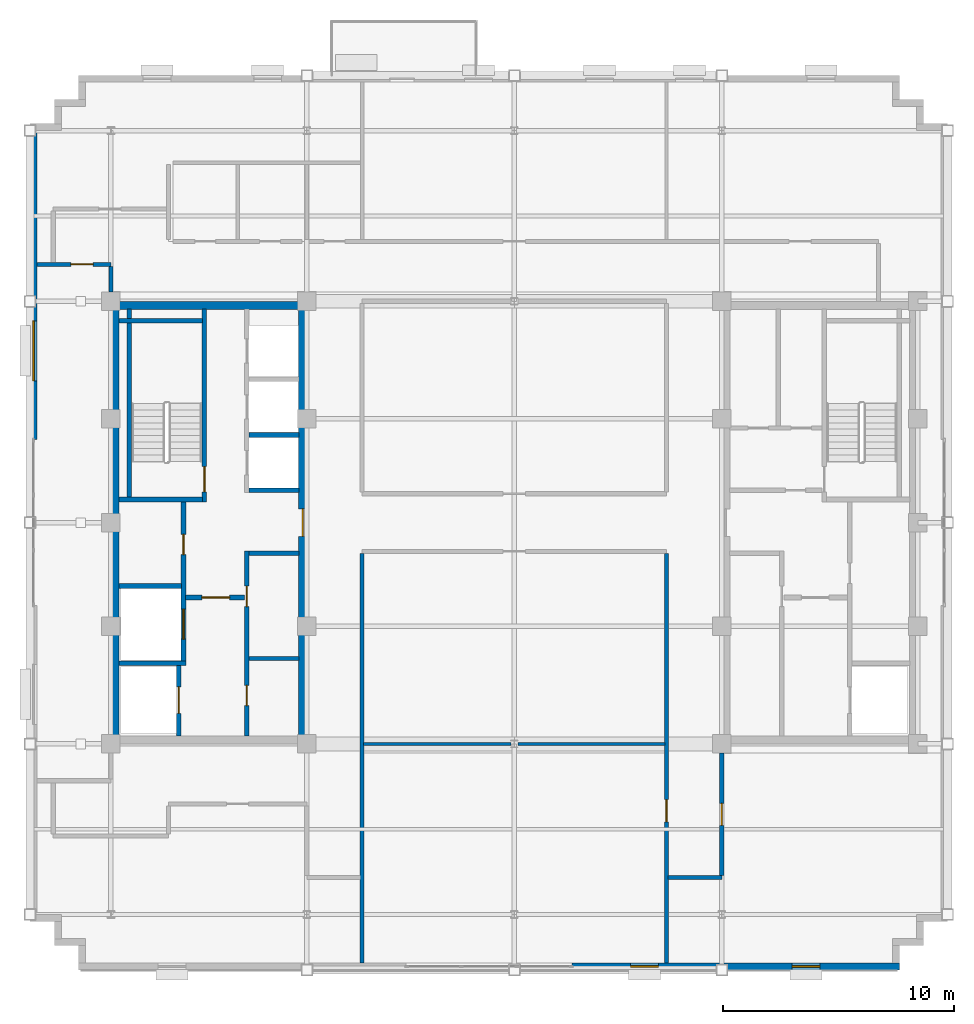
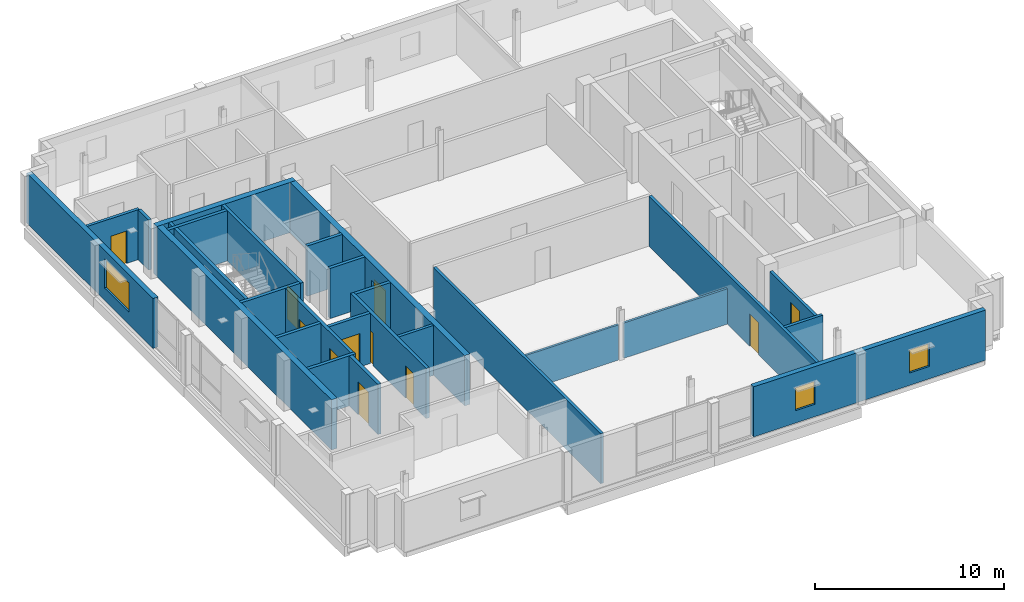
# One storey, part 6 of 15: 27 walls, 11 doors, 3 windows, 14 openings.
"""IFC4 building model written with IfcOpenShell, lengths in metres."""

from ifc_helpers import new_model, si_unit, direction, frame, frame_2d, origin, place, context, subcontext, project, spatial, rectangle, extrude, source, transform, mapped, material, layer, layer_set, type_object, type_shapes, element, fill, save


model = new_model("IFC4")

# Units and contexts
model_context = context("Model", 3, precision=1e-05, world=origin(), true_north=direction((0.0, 1.0)))
body_context = subcontext(model_context, "Body", "Model", "MODEL_VIEW")
ifc_project = project(units=[si_unit("LENGTHUNIT", "METRE"), si_unit("AREAUNIT", "SQUARE_METRE"), si_unit("VOLUMEUNIT", "CUBIC_METRE"), si_unit("PLANEANGLEUNIT", "RADIAN"), si_unit("MASSUNIT", "GRAM", prefix="KILO")], contexts=[model_context])

# Site, building, storey
site_placement = place(None, origin())
site = spatial("IfcSite", under=ifc_project, at=site_placement, CompositionType="ELEMENT")
building_placement = place(site_placement, origin())
building = spatial("IfcBuilding", under=site, at=building_placement, Name="Nuvemarco Arch Tower", CompositionType="ELEMENT")
storey_placement = place(building_placement, frame((0.0, 0.0, 283.5)))
storey = spatial("IfcBuildingStorey", under=building, at=storey_placement, Name="L75", CompositionType="ELEMENT", Elevation=283.5)

# Wall, openings, windows
ifc_material_1 = material(Name="Precast concrete C45/55", Category="concrete")
ifc_layer_1 = layer(ifc_material_1, 0.300048828125, Name="EW-HIGH-300")
ifc_layer_set_1 = layer_set([ifc_layer_1], Name="Precast concrete C45/55")
wall_type_1 = type_object("IfcWallType", Name="EW-HIGH-300", PredefinedType="STANDARD", material=ifc_layer_set_1)
wall_1_placement = place(storey_placement, frame((2.5, -19.25, 0.0), z_axis=(0.0, 0.0, 1.0), x_axis=(1.0, 0.0, 0.0)))
wall_1 = element("IfcWall", 1, at=wall_1_placement, inside=storey, type_object=wall_type_1, Name="L75 exterior precast pier wall south right", PredefinedType="STANDARD", context=body_context, shape_type="SweptSolid", body=[
    extrude(rectangle(XDim=14.199951171875, YDim=0.300048828125, at=frame_2d((7.10009765625, 0.0))), origin(), (0.0, 0.0, 1.0), 3.239990234375),
])
opening_1_placement = place(wall_1_placement, frame((2.550048828125, 0.0, 0.800048828125)))
opening_1 = element("IfcOpeningElement", 2, at=opening_1_placement, cuts=wall_1, Name="Opening WN-8", PredefinedType="OPENING", context=body_context, shape_type="SweptSolid", body=[
    extrude(rectangle(XDim=1.199951171875, YDim=1.47998046875, at=frame_2d((0.60009765625, 0.739990234375))), frame((0.0, 0.159912109375, 0.0), z_axis=(0.0, -1.0, 0.0), x_axis=(1.0, 0.0, 0.0)), (0.0, 0.0, 1.0), 0.320068359375),
])
opening_2_placement = place(wall_1_placement, frame((9.550048828125, 0.0, 0.800048828125)))
opening_2 = element("IfcOpeningElement", 3, at=opening_2_placement, cuts=wall_1, Name="Opening WN-8", PredefinedType="OPENING", context=body_context, shape_type="SweptSolid", body=[
    extrude(rectangle(XDim=1.199951171875, YDim=1.47998046875, at=frame_2d((0.60009765625, 0.739990234375))), frame((0.0, 0.159912109375, 0.0), z_axis=(0.0, -1.0, 0.0), x_axis=(1.0, 0.0, 0.0)), (0.0, 0.0, 1.0), 0.320068359375),
])
ifc_material_2 = material(Name="Insulated solar-control glass", Category="glass")
window_type_1 = type_object("IfcWindowType", Name="WN-HIGH-1200x1480", PartitioningType="SINGLE_PANEL", PredefinedType="WINDOW", material=ifc_material_2)
shared_shape_1 = source(origin(), body_context, "Body", "SweptSolid", [
    extrude(rectangle(XDim=1.199951171875, YDim=1.47998046875, at=frame_2d((0.60009765625, 0.739990234375))), frame((0.0, 0.030029296875, 0.0), z_axis=(0.0, -1.0, 0.0), x_axis=(1.0, 0.0, 0.0)), (0.0, 0.0, 1.0), 0.06005859375),
])
type_shapes(window_type_1, [shared_shape_1])
window_1_placement = place(opening_1_placement, origin())
window_1 = element("IfcWindow", 4, at=window_1_placement, inside=storey, type_object=window_type_1, Name="L75 punched facade window 1", OverallHeight=1.47998046875, OverallWidth=1.199951171875, PartitioningType="SINGLE_PANEL", PredefinedType="WINDOW", context=body_context, shape_type="MappedRepresentation", body=[
    mapped(shared_shape_1, transform((0.0, 0.0, 0.0), scale=1.0)),
])
fill(opening_1, window_1)
window_2_placement = place(opening_2_placement, origin())
window_2 = element("IfcWindow", 5, at=window_2_placement, inside=storey, type_object=window_type_1, Name="L75 punched facade window 2", OverallHeight=1.47998046875, OverallWidth=1.199951171875, PartitioningType="SINGLE_PANEL", PredefinedType="WINDOW", context=body_context, shape_type="MappedRepresentation", body=[
    mapped(shared_shape_1, transform((0.0, 0.0, 0.0), scale=1.0)),
])
fill(opening_2, window_2)

# Wall, opening, window
wall_2_placement = place(storey_placement, frame((-20.85009765625, 3.60009765625, 0.0), z_axis=(0.0, 0.0, 1.0), x_axis=(0.0, 1.0, 0.0)))
wall_2 = element("IfcWall", 6, at=wall_2_placement, inside=storey, type_object=wall_type_1, Name="L75 exterior precast pier wall west right", PredefinedType="STANDARD", context=body_context, shape_type="SweptSolid", body=[
    extrude(rectangle(XDim=13.40380859375, YDim=0.300048828125, at=frame_2d((6.701904296875, 0.0))), origin(), (0.0, 0.0, 1.0), 3.239990234375),
])
opening_3_placement = place(wall_2_placement, frame((2.551025390625, 0.0, 0.800048828125)))
opening_3 = element("IfcOpeningElement", 7, at=opening_3_placement, cuts=wall_2, Name="Opening WN-9", PredefinedType="OPENING", context=body_context, shape_type="SweptSolid", body=[
    extrude(rectangle(XDim=2.60009765625, YDim=1.89990234375, at=frame_2d((1.300048828125, 0.949951171875))), frame((0.0, 0.159912109375, 0.0), z_axis=(0.0, -1.0, 0.0), x_axis=(1.0, 0.0, 0.0)), (0.0, 0.0, 1.0), 0.320068359375),
])
window_type_2 = type_object("IfcWindowType", Name="WN-OBS-2600x1900", PartitioningType="TRIPLE_PANEL_VERTICAL", PredefinedType="WINDOW", material=ifc_material_2)
shared_shape_2 = source(origin(), body_context, "Body", "SweptSolid", [
    extrude(rectangle(XDim=2.60009765625, YDim=1.89990234375, at=frame_2d((1.300048828125, 0.949951171875))), frame((0.0, 0.030029296875, 0.0), z_axis=(0.0, -1.0, 0.0), x_axis=(1.0, 0.0, 0.0)), (0.0, 0.0, 1.0), 0.06005859375),
])
type_shapes(window_type_2, [shared_shape_2])
window_3_placement = place(opening_3_placement, origin())
window_3 = element("IfcWindow", 8, at=window_3_placement, inside=storey, type_object=window_type_2, Name="L75 punched facade window 1", OverallHeight=1.89990234375, OverallWidth=2.60009765625, PartitioningType="SINGLE_PANEL", PredefinedType="WINDOW", context=body_context, shape_type="MappedRepresentation", body=[
    mapped(shared_shape_2, transform((0.0, 0.0, 0.0), scale=1.0)),
])
fill(opening_3, window_3)

# Walls
ifc_material_3 = material(Name="Concrete C50/60", Category="concrete")
ifc_layer_2 = layer(ifc_material_3, 0.35009765625, Name="WL-CORE-350")
ifc_layer_set_2 = layer_set([ifc_layer_2], Name="Concrete C50/60")
wall_type_2 = type_object("IfcWallType", Name="WL-CORE-350", PredefinedType="SHEAR", material=ifc_layer_set_2)
wall_3_placement = place(storey_placement, frame((-17.5, 9.425048828125, 0.0), z_axis=(0.0, 0.0, 1.0), x_axis=(1.0, 0.0, 0.0)))
element("IfcWall", 9, at=wall_3_placement, inside=storey, type_object=wall_type_2, Name="L75 W-core shear wall N", PredefinedType="SHEAR", context=body_context, shape_type="SweptSolid", body=[
    extrude(rectangle(XDim=8.5, YDim=0.35009765625, at=frame_2d((4.25, 0.0))), origin(), (0.0, 0.0, 1.0), 3.25),
])
wall_4_placement = place(storey_placement, frame((-17.324951171875, -9.2548828125, 0.0), z_axis=(0.0, 0.0, 1.0), x_axis=(0.0, 1.0, 0.0)))
element("IfcWall", 10, at=wall_4_placement, inside=storey, type_object=wall_type_2, Name="L75 W-core shear wall W", PredefinedType="SHEAR", context=body_context, shape_type="SweptSolid", body=[
    extrude(rectangle(XDim=18.509765625, YDim=0.35009765625, at=frame_2d((9.2548828125, 0.0))), origin(), (0.0, 0.0, 1.0), 3.25),
])

# Wall, opening, door
wall_5_placement = place(storey_placement, frame((-9.175048828125, -9.2548828125, 0.0), z_axis=(0.0, 0.0, 1.0), x_axis=(0.0, 1.0, 0.0)))
wall_5 = element("IfcWall", 11, at=wall_5_placement, inside=storey, type_object=wall_type_2, Name="L75 W-core shear wall E", PredefinedType="SHEAR", context=body_context, shape_type="SweptSolid", body=[
    extrude(rectangle(XDim=18.509765625, YDim=0.35009765625, at=frame_2d((9.2548828125, 0.0))), origin(), (0.0, 0.0, 1.0), 3.25),
])
opening_4_placement = place(wall_5_placement, frame((8.655029296875, 0.0, 0.0)))
opening_4 = element("IfcOpeningElement", 12, at=opening_4_placement, cuts=wall_5, Name="Opening FD-2", PredefinedType="OPENING", context=body_context, shape_type="SweptSolid", body=[
    extrude(rectangle(XDim=1.199951171875, YDim=2.14990234375, at=frame_2d((0.60009765625, 1.074951171875))), frame((0.0, 0.18505859375, 0.0), z_axis=(0.0, -1.0, 0.0), x_axis=(1.0, 0.0, 0.0)), (0.0, 0.0, 1.0), 0.3701171875),
])
ifc_material_4 = material(Name="Anodised steel fire door", Category="steel")
door_type_1 = type_object("IfcDoorType", Name="DR-FFLOB-FD", OperationType="NOTDEFINED", PredefinedType="DOOR", material=ifc_material_4)
shared_shape_3 = source(origin(), body_context, "Body", "SweptSolid", [
    extrude(rectangle(XDim=1.199951171875, YDim=2.14990234375, at=frame_2d((0.60009765625, 1.074951171875))), frame((0.0, 0.02490234375, 0.0), z_axis=(0.0, -1.0, 0.0), x_axis=(1.0, 0.0, 0.0)), (0.0, 0.0, 1.0), 0.050048828125),
])
type_shapes(door_type_1, [shared_shape_3])
door_1_placement = place(opening_4_placement, origin())
door_1 = element("IfcDoor", 13, at=door_1_placement, inside=storey, type_object=door_type_1, Name="L75 door FD-L75-WCORE-E", OperationType="SINGLE_SWING_RIGHT", OverallHeight=2.14990234375, OverallWidth=1.199951171875, PredefinedType="DOOR", context=body_context, shape_type="MappedRepresentation", body=[
    mapped(shared_shape_3, transform((0.0, 0.0, 0.0), scale=1.0)),
])
fill(opening_4, door_1)

# Walls
ifc_material_5 = material(Name="Fire-rated gypsum drywall partition")
ifc_layer_3 = layer(ifc_material_5, 0.179931640625, Name="WL-CORR-180")
ifc_layer_set_3 = layer_set([ifc_layer_3], Name="Fire-rated gypsum drywall partition")
wall_type_3 = type_object("IfcWallType", Name="WL-CORR-180", PredefinedType="PARTITIONING", material=ifc_layer_set_3)
wall_6_placement = place(storey_placement, frame((-11.5048828125, -5.89990234375, 0.0), z_axis=(0.0, 0.0, 1.0), x_axis=(1.0, 0.0, 0.0)))
element("IfcWall", 14, at=wall_6_placement, inside=storey, type_object=wall_type_3, Name="L75 interior wall IW-L75-W-RECK3", PredefinedType="PARTITIONING", context=body_context, shape_type="SweptSolid", body=[
    extrude(rectangle(XDim=2.159912109375, YDim=0.179931640625, at=frame_2d((1.080078125, 0.0))), origin(), (0.0, 0.0, 1.0), 3.239990234375),
])
wall_7_placement = place(storey_placement, frame((6.660888671875, -15.39990234375, 0.0), z_axis=(0.0, 0.0, 1.0), x_axis=(1.0, 0.0, 0.0)))
element("IfcWall", 15, at=wall_7_placement, inside=storey, type_object=wall_type_3, Name="L75 interior wall IW-L75-002", PredefinedType="PARTITIONING", context=body_context, shape_type="SweptSolid", body=[
    extrude(rectangle(XDim=2.339111328125, YDim=0.179931640625, at=frame_2d((1.16943359375, 0.0))), origin(), (0.0, 0.0, 1.0), 3.239990234375),
])

# Wall, opening, door
wall_8_placement = place(storey_placement, frame((-20.699951171875, 11.199951171875, 0.0), z_axis=(0.0, 0.0, 1.0), x_axis=(1.0, 0.0, 0.0)))
wall_8 = element("IfcWall", 16, at=wall_8_placement, inside=storey, type_object=wall_type_3, Name="L75 interior wall IW-L75-012", PredefinedType="PARTITIONING", context=body_context, shape_type="SweptSolid", body=[
    extrude(rectangle(XDim=3.199951171875, YDim=0.179931640625, at=frame_2d((1.60009765625, 0.0))), origin(), (0.0, 0.0, 1.0), 3.239990234375),
])
opening_5_placement = place(wall_8_placement, frame((1.469970703125, 0.0, 0.0)))
opening_5 = element("IfcOpeningElement", 17, at=opening_5_placement, cuts=wall_8, Name="Opening FD-5", PredefinedType="OPENING", context=body_context, shape_type="SweptSolid", body=[
    extrude(rectangle(XDim=0.9599609375, YDim=2.10009765625, at=frame_2d((0.47998046875, 1.050048828125))), frame((0.0, 0.099853515625, 0.0), z_axis=(0.0, -1.0, 0.0), x_axis=(1.0, 0.0, 0.0)), (0.0, 0.0, 1.0), 0.199951171875),
])
ifc_material_6 = material(Name="Timber fire door", Category="wood")
door_type_2 = type_object("IfcDoorType", Name="DR-CORR-FD", OperationType="NOTDEFINED", PredefinedType="DOOR", material=ifc_material_6)
shared_shape_4 = source(origin(), body_context, "Body", "SweptSolid", [
    extrude(rectangle(XDim=0.9599609375, YDim=2.10009765625, at=frame_2d((0.47998046875, 1.050048828125))), frame((0.0, 0.02490234375, 0.0), z_axis=(0.0, -1.0, 0.0), x_axis=(1.0, 0.0, 0.0)), (0.0, 0.0, 1.0), 0.050048828125),
])
type_shapes(door_type_2, [shared_shape_4])
door_2_placement = place(opening_5_placement, origin())
door_2 = element("IfcDoor", 18, at=door_2_placement, inside=storey, type_object=door_type_2, Name="L75 door DR-L75-OBS_W1", OperationType="SINGLE_SWING_LEFT", OverallHeight=2.10009765625, OverallWidth=0.9599609375, PredefinedType="DOOR", context=body_context, shape_type="MappedRepresentation", body=[
    mapped(shared_shape_4, transform((0.0, 0.0, 0.0), scale=1.0)),
])
fill(opening_5, door_2)

# Walls
wall_9_placement = place(storey_placement, frame((-17.5, 9.99609375, 0.0), z_axis=(0.0, 0.0, 1.0), x_axis=(0.0, 1.0, 0.0)))
element("IfcWall", 19, at=wall_9_placement, inside=storey, type_object=wall_type_3, Name="L75 interior wall IW-L75-020", PredefinedType="PARTITIONING", context=body_context, shape_type="SweptSolid", body=[
    extrude(rectangle(XDim=1.117919921875, YDim=0.179931640625, at=frame_2d((0.55908203125, 0.0))), origin(), (0.0, 0.0, 1.0), 3.239990234375),
])
wall_10_placement = place(storey_placement, frame((-6.60009765625, -19.10009765625, 0.0), z_axis=(0.0, 0.0, 1.0), x_axis=(0.0, 1.0, 0.0)))
element("IfcWall", 20, at=wall_10_placement, inside=storey, type_object=wall_type_3, Name="L75 interior wall IW-L75-026", PredefinedType="PARTITIONING", context=body_context, shape_type="SweptSolid", body=[
    extrude(rectangle(XDim=17.76416015625, YDim=0.179931640625, at=frame_2d((8.882080078125, 0.0))), origin(), (0.0, 0.0, 1.0), 3.239990234375),
])

# Wall, opening, door
wall_11_placement = place(storey_placement, frame((6.60009765625, -19.10009765625, 0.0), z_axis=(0.0, 0.0, 1.0), x_axis=(0.0, 1.0, 0.0)))
wall_11 = element("IfcWall", 21, at=wall_11_placement, inside=storey, type_object=wall_type_3, Name="L75 interior wall IW-L75-029", PredefinedType="PARTITIONING", context=body_context, shape_type="SweptSolid", body=[
    extrude(rectangle(XDim=17.76416015625, YDim=0.179931640625, at=frame_2d((8.882080078125, 0.0))), origin(), (0.0, 0.0, 1.0), 3.239990234375),
])
opening_6_placement = place(wall_11_placement, frame((6.1201171875, 0.0, 0.0)))
opening_6 = element("IfcOpeningElement", 22, at=opening_6_placement, cuts=wall_11, Name="Opening FD-5", PredefinedType="OPENING", context=body_context, shape_type="SweptSolid", body=[
    extrude(rectangle(XDim=0.9599609375, YDim=2.10009765625, at=frame_2d((0.47998046875, 1.050048828125))), frame((0.0, 0.099853515625, 0.0), z_axis=(0.0, -1.0, 0.0), x_axis=(1.0, 0.0, 0.0)), (0.0, 0.0, 1.0), 0.199951171875),
])
door_3_placement = place(opening_6_placement, origin())
door_3 = element("IfcDoor", 23, at=door_3_placement, inside=storey, type_object=door_type_2, Name="L75 door DR-L75-OBS_SC", OperationType="SINGLE_SWING_RIGHT", OverallHeight=2.10009765625, OverallWidth=0.9599609375, PredefinedType="DOOR", context=body_context, shape_type="MappedRepresentation", body=[
    mapped(shared_shape_4, transform((0.0, 0.0, 0.0), scale=1.0)),
])
fill(opening_6, door_3)

wall_12_placement = place(storey_placement, frame((9.0, -15.31396484375, 0.0), z_axis=(0.0, 0.0, 1.0), x_axis=(0.0, 1.0, 0.0)))
wall_12 = element("IfcWall", 24, at=wall_12_placement, inside=storey, type_object=wall_type_3, Name="L75 interior wall IW-L75-032", PredefinedType="PARTITIONING", context=body_context, shape_type="SweptSolid", body=[
    extrude(rectangle(XDim=5.31787109375, YDim=0.179931640625, at=frame_2d((2.658935546875, 0.0))), origin(), (0.0, 0.0, 1.0), 2.77197265625),
])
opening_7_placement = place(wall_12_placement, frame((2.178955078125, 0.0, 0.0)))
opening_7 = element("IfcOpeningElement", 25, at=opening_7_placement, cuts=wall_12, Name="Opening FD-5", PredefinedType="OPENING", context=body_context, shape_type="SweptSolid", body=[
    extrude(rectangle(XDim=0.9599609375, YDim=2.10009765625, at=frame_2d((0.47998046875, 1.050048828125))), frame((0.0, 0.099853515625, 0.0), z_axis=(0.0, -1.0, 0.0), x_axis=(1.0, 0.0, 0.0)), (0.0, 0.0, 1.0), 0.199951171875),
])
door_4_placement = place(opening_7_placement, origin())
door_4 = element("IfcDoor", 26, at=door_4_placement, inside=storey, type_object=door_type_2, Name="L75 door DR-L75-OBS_SE", OperationType="SINGLE_SWING_LEFT", OverallHeight=2.10009765625, OverallWidth=0.9599609375, PredefinedType="DOOR", context=body_context, shape_type="MappedRepresentation", body=[
    mapped(shared_shape_4, transform((0.0, 0.0, 0.0), scale=1.0)),
])
fill(opening_7, door_4)

# Walls
ifc_material_7 = material(Name="Glazed acoustic office partition")
ifc_layer_4 = layer(ifc_material_7, 0.1298828125, Name="WL-EXEC-130")
ifc_layer_set_4 = layer_set([ifc_layer_4], Name="Glazed acoustic office partition")
wall_type_4 = type_object("IfcWallType", Name="WL-EXEC-130", PredefinedType="PARTITIONING", material=ifc_layer_set_4)
for number, where, z_axis, x_axis, name in (
    (27, (-6.5390625, -9.60009765625, 0.0), (0.0, 0.0, 1.0), (1.0, 0.0, 0.0), "L75 interior wall IW-L75-006"),
    (28, (0.15087890625, -9.60009765625, 0.0), (0.0, 0.0, 1.0), (1.0, 0.0, 0.0), "L75 interior wall IW-L75-007"),
):
    element("IfcWall", number, at=place(storey_placement, frame(where, z_axis=z_axis, x_axis=x_axis)), inside=storey, type_object=wall_type_4, Name=name, PredefinedType="PARTITIONING", context=body_context, shape_type="SweptSolid", body=[
        extrude(rectangle(XDim=6.38818359375, YDim=0.1298828125, at=frame_2d((3.194091796875, 0.0))), origin(), (0.0, 0.0, 1.0), 2.284912109375),
    ])

# Wall, opening, door
ifc_layer_5 = layer(ifc_material_3, 0.199951171875, Name="WL-SHAFT-220")
ifc_layer_set_5 = layer_set([ifc_layer_5], Name="Concrete C50/60")
wall_type_5 = type_object("IfcWallType", Name="WL-SHAFT-220", PredefinedType="SHEAR", material=ifc_layer_set_5)
wall_13_placement = place(storey_placement, frame((-13.43994140625, 0.89990234375, 0.0), z_axis=(0.0, 0.0, 1.0), x_axis=(0.0, 1.0, 0.0)))
wall_13 = element("IfcWall", 29, at=wall_13_placement, inside=storey, type_object=wall_type_5, Name="L75 structural shaft wall SW-L75-W-ST1E", PredefinedType="SHEAR", context=body_context, shape_type="SweptSolid", body=[
    extrude(rectangle(XDim=8.35498046875, YDim=0.199951171875, at=frame_2d((4.177490234375, 0.0))), origin(), (0.0, 0.0, 1.0), 3.25),
])
opening_8_placement = place(wall_13_placement, frame((1.530029296875, 0.0, 0.0), z_axis=(0.0, 0.0, 1.0), x_axis=(-1.0, 0.0, 0.0)))
opening_8 = element("IfcOpeningElement", 30, at=opening_8_placement, cuts=wall_13, Name="Opening FD-1", PredefinedType="OPENING", context=body_context, shape_type="SweptSolid", body=[
    extrude(rectangle(XDim=1.10009765625, YDim=2.14990234375, at=frame_2d((0.550048828125, 1.074951171875))), frame((0.0, 0.10986328125, 0.0), z_axis=(0.0, -1.0, 0.0), x_axis=(1.0, 0.0, 0.0)), (0.0, 0.0, 1.0), 0.219970703125),
])
door_type_3 = type_object("IfcDoorType", Name="DR-STAIR-FD", OperationType="NOTDEFINED", PredefinedType="DOOR", material=ifc_material_4)
shared_shape_5 = source(origin(), body_context, "Body", "SweptSolid", [
    extrude(rectangle(XDim=1.10009765625, YDim=2.14990234375, at=frame_2d((0.550048828125, 1.074951171875))), frame((0.0, 0.02490234375, 0.0), z_axis=(0.0, -1.0, 0.0), x_axis=(1.0, 0.0, 0.0)), (0.0, 0.0, 1.0), 0.050048828125),
])
type_shapes(door_type_3, [shared_shape_5])
door_5_placement = place(opening_8_placement, origin())
door_5 = element("IfcDoor", 31, at=door_5_placement, inside=storey, type_object=door_type_3, Name="L75 door FD-L75-ST1", OperationType="SINGLE_SWING_LEFT", OverallHeight=2.14990234375, OverallWidth=1.10009765625, PredefinedType="DOOR", context=body_context, shape_type="MappedRepresentation", body=[
    mapped(shared_shape_5, transform((0.0, 0.0, 0.0), scale=1.0)),
])
fill(opening_8, door_5)

# Walls
for number, where, z_axis, x_axis, name in (
    (32, (-17.155029296875, 1.0, 0.0), (0.0, 0.0, 1.0), (1.0, 0.0, 0.0), "L75 structural shaft wall SW-L75-W-ST1S"),
    (33, (-17.155029296875, 8.75, 0.0), (0.0, 0.0, 1.0), (1.0, 0.0, 0.0), "L75 structural shaft wall SW-L75-W-ST1N"),
):
    element("IfcWall", number, at=place(storey_placement, frame(where, z_axis=z_axis, x_axis=x_axis)), inside=storey, type_object=wall_type_5, Name=name, PredefinedType="SHEAR", context=body_context, shape_type="SweptSolid", body=[
        extrude(rectangle(XDim=3.6201171875, YDim=0.199951171875, at=frame_2d((1.81005859375, 0.0))), origin(), (0.0, 0.0, 1.0), 3.25),
    ])
wall_14_placement = place(storey_placement, frame((-16.699951171875, 1.094970703125, 0.0), z_axis=(0.0, 0.0, 1.0), x_axis=(0.0, 1.0, 0.0)))
element("IfcWall", 34, at=wall_14_placement, inside=storey, type_object=wall_type_5, Name="L75 structural shaft wall SW-L75-W-ST1W", PredefinedType="SHEAR", context=body_context, shape_type="SweptSolid", body=[
    extrude(rectangle(XDim=8.159912109375, YDim=0.199951171875, at=frame_2d((4.080078125, 0.0))), origin(), (0.0, 0.0, 1.0), 3.25),
])

# Wall, opening, door
wall_15_placement = place(storey_placement, frame((-14.550048828125, -9.2548828125, 0.0), z_axis=(0.0, 0.0, 1.0), x_axis=(0.0, 1.0, 0.0)))
wall_15 = element("IfcWall", 35, at=wall_15_placement, inside=storey, type_object=wall_type_5, Name="L75 structural shaft wall SW-L75-W-SHE", PredefinedType="SHEAR", context=body_context, shape_type="SweptSolid", body=[
    extrude(rectangle(XDim=3.059814453125, YDim=0.199951171875, at=frame_2d((1.52978515625, 0.0))), origin(), (0.0, 0.0, 1.0), 3.25),
])
opening_9_placement = place(wall_15_placement, frame((0.97998046875, 0.0, 0.0)))
opening_9 = element("IfcOpeningElement", 36, at=opening_9_placement, cuts=wall_15, Name="Opening LD-2", PredefinedType="OPENING", context=body_context, shape_type="SweptSolid", body=[
    extrude(rectangle(XDim=1.14990234375, YDim=2.14990234375, at=frame_2d((0.574951171875, 1.074951171875))), frame((0.0, 0.10986328125, 0.0), z_axis=(0.0, -1.0, 0.0), x_axis=(1.0, 0.0, 0.0)), (0.0, 0.0, 1.0), 0.219970703125),
])
ifc_material_8 = material(Name="Stainless steel lift door", Category="steel")
door_type_4 = type_object("IfcDoorType", Name="DR-LIFT-FIRE", OperationType="DOUBLE_DOOR_SLIDING", PredefinedType="DOOR", material=ifc_material_8)
shared_shape_6 = source(origin(), body_context, "Body", "SweptSolid", [
    extrude(rectangle(XDim=1.14990234375, YDim=2.14990234375, at=frame_2d((0.574951171875, 1.074951171875))), frame((0.0, 0.02490234375, 0.0), z_axis=(0.0, -1.0, 0.0), x_axis=(1.0, 0.0, 0.0)), (0.0, 0.0, 1.0), 0.050048828125),
])
type_shapes(door_type_4, [shared_shape_6])
door_6_placement = place(opening_9_placement, origin())
door_6 = element("IfcDoor", 37, at=door_6_placement, inside=storey, type_object=door_type_4, Name="L75 Lift landing sliding door FFL-1", OperationType="DOUBLE_DOOR_SLIDING", OverallHeight=2.14990234375, OverallWidth=1.14990234375, PredefinedType="DOOR", context=body_context, shape_type="MappedRepresentation", body=[
    mapped(shared_shape_6, transform((0.0, 0.0, 0.0), scale=1.0)),
])
fill(opening_9, door_6)

# Wall, openings, doors
wall_16_placement = place(storey_placement, frame((-14.35009765625, -6.199951171875, 0.0), z_axis=(0.0, 0.0, 1.0), x_axis=(0.0, 1.0, 0.0)))
wall_16 = element("IfcWall", 38, at=wall_16_placement, inside=storey, type_object=wall_type_5, Name="L75 structural shaft wall SW-L75-W-SVE", PredefinedType="SHEAR", context=body_context, shape_type="SweptSolid", body=[
    extrude(rectangle(XDim=7.10498046875, YDim=0.199951171875, at=frame_2d((3.552490234375, 0.0))), origin(), (0.0, 0.0, 1.0), 3.25),
])
opening_10_placement = place(wall_16_placement, frame((5.68994140625, 0.0, 0.0), z_axis=(0.0, 0.0, 1.0), x_axis=(-1.0, 0.0, 0.0)))
opening_10 = element("IfcOpeningElement", 39, at=opening_10_placement, cuts=wall_16, Name="Opening FD-4", PredefinedType="OPENING", context=body_context, shape_type="SweptSolid", body=[
    extrude(rectangle(XDim=0.8798828125, YDim=2.10009765625, at=frame_2d((0.43994140625, 1.050048828125))), frame((0.0, 0.10986328125, 0.0), z_axis=(0.0, -1.0, 0.0), x_axis=(1.0, 0.0, 0.0)), (0.0, 0.0, 1.0), 0.219970703125),
])
opening_11_placement = place(wall_16_placement, frame((1.14990234375, 0.0, 0.0)))
opening_11 = element("IfcOpeningElement", 40, at=opening_11_placement, cuts=wall_16, Name="Opening LD-3", PredefinedType="OPENING", context=body_context, shape_type="SweptSolid", body=[
    extrude(rectangle(XDim=1.300048828125, YDim=2.199951171875, at=frame_2d((0.64990234375, 1.10009765625))), frame((0.0, 0.10986328125, 0.0), z_axis=(0.0, -1.0, 0.0), x_axis=(1.0, 0.0, 0.0)), (0.0, 0.0, 1.0), 0.219970703125),
])
door_type_5 = type_object("IfcDoorType", Name="DR-RISER-FD", OperationType="NOTDEFINED", PredefinedType="DOOR", material=ifc_material_4)
shared_shape_7 = source(origin(), body_context, "Body", "SweptSolid", [
    extrude(rectangle(XDim=0.8798828125, YDim=2.10009765625, at=frame_2d((0.43994140625, 1.050048828125))), frame((0.0, 0.02490234375, 0.0), z_axis=(0.0, -1.0, 0.0), x_axis=(1.0, 0.0, 0.0)), (0.0, 0.0, 1.0), 0.050048828125),
])
type_shapes(door_type_5, [shared_shape_7])
door_7_placement = place(opening_10_placement, origin())
door_7 = element("IfcDoor", 41, at=door_7_placement, inside=storey, type_object=door_type_5, Name="L75 door FD-L75-WRIS", OperationType="SINGLE_SWING_LEFT", OverallHeight=2.10009765625, OverallWidth=0.8798828125, PredefinedType="DOOR", context=body_context, shape_type="MappedRepresentation", body=[
    mapped(shared_shape_7, transform((0.0, 0.0, 0.0), scale=1.0)),
])
fill(opening_10, door_7)
door_type_6 = type_object("IfcDoorType", Name="DR-LIFT-SERV", OperationType="DOUBLE_DOOR_SLIDING", PredefinedType="DOOR", material=ifc_material_8)
shared_shape_8 = source(origin(), body_context, "Body", "SweptSolid", [
    extrude(rectangle(XDim=1.300048828125, YDim=2.199951171875, at=frame_2d((0.64990234375, 1.10009765625))), frame((0.0, 0.02490234375, 0.0), z_axis=(0.0, -1.0, 0.0), x_axis=(1.0, 0.0, 0.0)), (0.0, 0.0, 1.0), 0.050048828125),
])
type_shapes(door_type_6, [shared_shape_8])
door_8_placement = place(opening_11_placement, origin())
door_8 = element("IfcDoor", 42, at=door_8_placement, inside=storey, type_object=door_type_6, Name="L75 Lift landing sliding door SVL-1", OperationType="DOUBLE_DOOR_SLIDING", OverallHeight=2.199951171875, OverallWidth=1.300048828125, PredefinedType="DOOR", context=body_context, shape_type="MappedRepresentation", body=[
    mapped(shared_shape_8, transform((0.0, 0.0, 0.0), scale=1.0)),
])
fill(opening_11, door_8)

# Walls
wall_17_placement = place(storey_placement, frame((-17.155029296875, -6.10009765625, 0.0), z_axis=(0.0, 0.0, 1.0), x_axis=(1.0, 0.0, 0.0)))
element("IfcWall", 43, at=wall_17_placement, inside=storey, type_object=wall_type_5, Name="L75 structural shaft wall SW-L75-W-SH1", PredefinedType="SHEAR", context=body_context, shape_type="SweptSolid", body=[
    extrude(rectangle(XDim=2.905029296875, YDim=0.199951171875, at=frame_2d((1.45263671875, 0.0))), origin(), (0.0, 0.0, 1.0), 3.25),
])
wall_18_placement = place(storey_placement, frame((-17.155029296875, -2.75, 0.0), z_axis=(0.0, 0.0, 1.0), x_axis=(1.0, 0.0, 0.0)))
element("IfcWall", 44, at=wall_18_placement, inside=storey, type_object=wall_type_5, Name="L75 structural shaft wall SW-L75-W-SH2", PredefinedType="SHEAR", context=body_context, shape_type="SweptSolid", body=[
    extrude(rectangle(XDim=2.7099609375, YDim=0.199951171875, at=frame_2d((1.35498046875, 0.0))), origin(), (0.0, 0.0, 1.0), 3.25),
])

# Wall, openings, doors
wall_19_placement = place(storey_placement, frame((-11.60009765625, -9.2548828125, 0.0), z_axis=(0.0, 0.0, 1.0), x_axis=(0.0, 1.0, 0.0)))
wall_19 = element("IfcWall", 45, at=wall_19_placement, inside=storey, type_object=wall_type_5, Name="L75 structural shaft wall SW-L75-W-PLW", PredefinedType="SHEAR", context=body_context, shape_type="SweptSolid", body=[
    extrude(rectangle(XDim=8.02490234375, YDim=0.199951171875, at=frame_2d((4.012451171875, 0.0))), origin(), (0.0, 0.0, 1.0), 3.25),
])
opening_12_placement = place(wall_19_placement, frame((1.31494140625, 0.0, 0.0)))
opening_12 = element("IfcOpeningElement", 46, at=opening_12_placement, cuts=wall_19, Name="Opening FD-4", PredefinedType="OPENING", context=body_context, shape_type="SweptSolid", body=[
    extrude(rectangle(XDim=0.8798828125, YDim=2.10009765625, at=frame_2d((0.43994140625, 1.050048828125))), frame((0.0, 0.10986328125, 0.0), z_axis=(0.0, -1.0, 0.0), x_axis=(1.0, 0.0, 0.0)), (0.0, 0.0, 1.0), 0.219970703125),
])
opening_13_placement = place(wall_19_placement, frame((5.614990234375, 0.0, 0.0)))
opening_13 = element("IfcOpeningElement", 47, at=opening_13_placement, cuts=wall_19, Name="Opening FD-4", PredefinedType="OPENING", context=body_context, shape_type="SweptSolid", body=[
    extrude(rectangle(XDim=0.8798828125, YDim=2.10009765625, at=frame_2d((0.43994140625, 1.050048828125))), frame((0.0, 0.10986328125, 0.0), z_axis=(0.0, -1.0, 0.0), x_axis=(1.0, 0.0, 0.0)), (0.0, 0.0, 1.0), 0.219970703125),
])
door_9_placement = place(opening_12_placement, origin())
door_9 = element("IfcDoor", 48, at=door_9_placement, inside=storey, type_object=door_type_5, Name="L75 door FD-L75-WREC1", OperationType="SINGLE_SWING_LEFT", OverallHeight=2.10009765625, OverallWidth=0.8798828125, PredefinedType="DOOR", context=body_context, shape_type="MappedRepresentation", body=[
    mapped(shared_shape_7, transform((0.0, 0.0, 0.0), scale=1.0)),
])
fill(opening_12, door_9)
door_10_placement = place(opening_13_placement, origin())
door_10 = element("IfcDoor", 49, at=door_10_placement, inside=storey, type_object=door_type_5, Name="L75 door FD-L75-WREC2", OperationType="SINGLE_SWING_RIGHT", OverallHeight=2.10009765625, OverallWidth=0.8798828125, PredefinedType="DOOR", context=body_context, shape_type="MappedRepresentation", body=[
    mapped(shared_shape_7, transform((0.0, 0.0, 0.0), scale=1.0)),
])
fill(opening_13, door_10)

# Wall, opening, door
wall_20_placement = place(storey_placement, frame((-14.2548828125, -3.25, 0.0), z_axis=(0.0, 0.0, 1.0), x_axis=(1.0, 0.0, 0.0)))
wall_20 = element("IfcWall", 50, at=wall_20_placement, inside=storey, type_object=wall_type_5, Name="L75 structural shaft wall SW-L75-W-FFN", PredefinedType="SHEAR", context=body_context, shape_type="SweptSolid", body=[
    extrude(rectangle(XDim=2.559814453125, YDim=0.199951171875, at=frame_2d((1.27978515625, 0.0))), origin(), (0.0, 0.0, 1.0), 3.25),
])
opening_14_placement = place(wall_20_placement, frame((0.705078125, 0.0, 0.0)))
opening_14 = element("IfcOpeningElement", 51, at=opening_14_placement, cuts=wall_20, Name="Opening FD-2", PredefinedType="OPENING", context=body_context, shape_type="SweptSolid", body=[
    extrude(rectangle(XDim=1.199951171875, YDim=2.14990234375, at=frame_2d((0.60009765625, 1.074951171875))), frame((0.0, 0.10986328125, 0.0), z_axis=(0.0, -1.0, 0.0), x_axis=(1.0, 0.0, 0.0)), (0.0, 0.0, 1.0), 0.219970703125),
])
door_11_placement = place(opening_14_placement, origin())
door_11 = element("IfcDoor", 52, at=door_11_placement, inside=storey, type_object=door_type_1, Name="L75 door FD-L75-WFF1", OperationType="SINGLE_SWING_LEFT", OverallHeight=2.14990234375, OverallWidth=1.199951171875, PredefinedType="DOOR", context=body_context, shape_type="MappedRepresentation", body=[
    mapped(shared_shape_3, transform((0.0, 0.0, 0.0), scale=1.0)),
])
fill(opening_14, door_11)

# Walls
for number, where, z_axis, x_axis, name in (
    (53, (-11.5048828125, -1.330078125, 0.0), (0.0, 0.0, 1.0), (1.0, 0.0, 0.0), "L75 structural shaft wall SW-L75-W-PLTOP"),
    (54, (-11.5048828125, 1.39990234375, 0.0), (0.0, 0.0, 1.0), (1.0, 0.0, 0.0), "L75 structural shaft wall SW-L75-W-PHD1"),
    (55, (-11.5048828125, 3.800048828125, 0.0), (0.0, 0.0, 1.0), (1.0, 0.0, 0.0), "L75 structural shaft wall SW-L75-W-PHD2"),
):
    element("IfcWall", number, at=place(storey_placement, frame(where, z_axis=z_axis, x_axis=x_axis)), inside=storey, type_object=wall_type_5, Name=name, PredefinedType="SHEAR", context=body_context, shape_type="SweptSolid", body=[
        extrude(rectangle(XDim=2.159912109375, YDim=0.199951171875, at=frame_2d((1.080078125, 0.0))), origin(), (0.0, 0.0, 1.0), 3.25),
    ])

save(model, "model.ifc")
